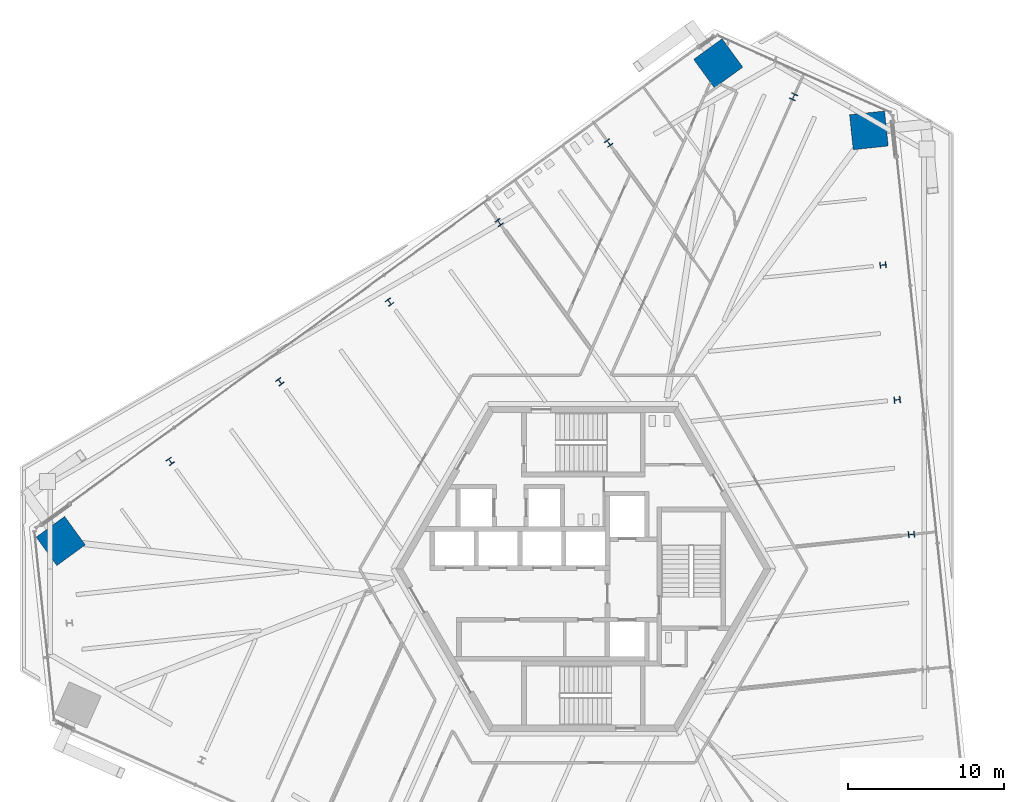
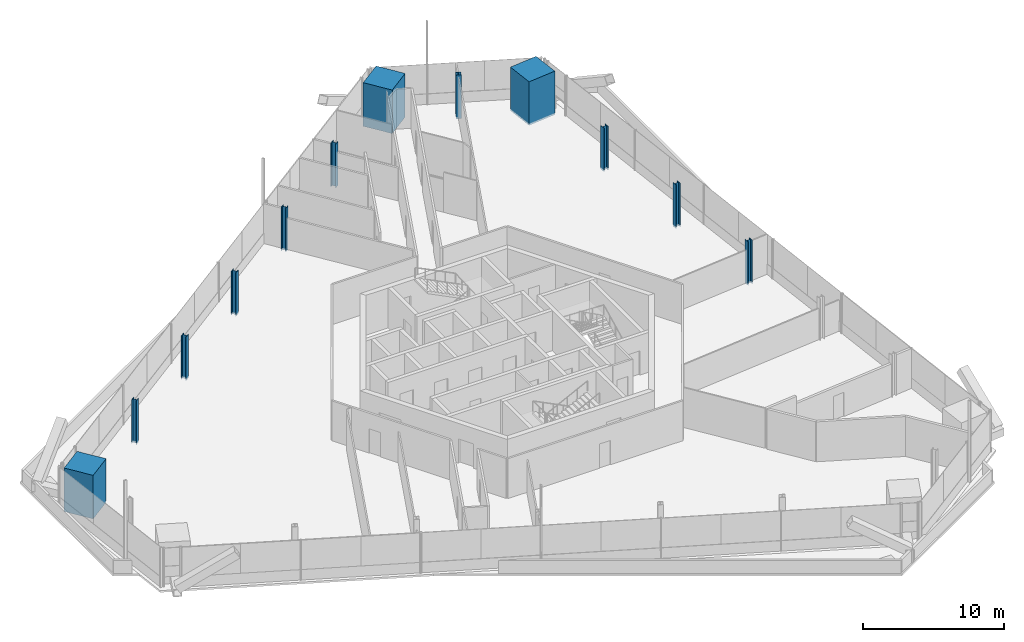
# One storey, part 2 of 24: 12 columns.
"""IFC4 building model written with IfcOpenShell, lengths in metres."""

from ifc_helpers import new_model, si_unit, direction, frame, origin, origin_2d, place, context, subcontext, project, spatial, rectangle, i_section, extrude, source, transform, mapped, material, material_profile, profile_set, type_object, element, save


model = new_model("IFC4")

# Units and contexts
model_context = context("Model", 3, precision=1e-05, world=origin(), true_north=direction((0.0, 1.0)))
body_context = subcontext(model_context, "Body", "Model", "MODEL_VIEW")
ifc_project = project(units=[si_unit("LENGTHUNIT", "METRE"), si_unit("AREAUNIT", "SQUARE_METRE"), si_unit("VOLUMEUNIT", "CUBIC_METRE"), si_unit("PLANEANGLEUNIT", "RADIAN"), si_unit("MASSUNIT", "GRAM", prefix="KILO")], contexts=[model_context])

# Site, building, storey
site_placement = place(None, origin())
site = spatial("IfcSite", under=ifc_project, at=site_placement, CompositionType="ELEMENT")
building_placement = place(site_placement, origin())
building = spatial("IfcBuilding", under=site, at=building_placement, Name="Triune Harvest Tower", CompositionType="ELEMENT")
storey_placement = place(building_placement, frame((0.0, 0.0, 58.5)))
storey = spatial("IfcBuildingStorey", under=building, at=storey_placement, Name="L13", CompositionType="ELEMENT", Elevation=58.5)

# Columns
ifc_material_1 = material(Name="Concrete 70 MPa", Category="concrete")
ifc_material_profile_1 = material_profile(ifc_material_1, rectangle(XDim=2.25, YDim=2.25, at=origin_2d()), Name="Composite 2250x2250")
ifc_profile_set_1 = profile_set([ifc_material_profile_1], Name="Concrete 70 MPa")
column_type_1 = type_object("IfcColumnType", Name="MC-2 Mega column Composite 2250x2250", PredefinedType="COLUMN", material=ifc_profile_set_1)
shared_shape_1 = source(origin(), body_context, "Body", "SweptSolid", [
    extrude(rectangle(XDim=2.25, YDim=2.25, at=origin_2d()), origin(), (0.0, 0.0, 1.0), 3.760009765625),
])
for number, where, z_axis, x_axis, name in (
    (1, (18.2607421875, 28.049072265625, -0.159912109375), (0.0, 0.0, 1.0), (-0.104526727499, 0.994522077803, 0.0), "col/L13/M6"),
    (2, (8.625732421875, 32.3388671875, -0.159912109375), (0.0, 0.0, 1.0), (-0.809016994375, -0.587785252292, 0.0), "col/L13/M8"),
    (3, (-33.42138671875, 1.789794921875, -0.159912109375), (0.0, 0.0, 1.0), (-0.809016994375, -0.587785252292, 0.0), "col/L13/M14"),
):
    element("IfcColumn", number, at=place(storey_placement, frame(where, z_axis=z_axis, x_axis=x_axis)), inside=storey, type_object=column_type_1, Name=name, PredefinedType="COLUMN", context=body_context, shape_type="MappedRepresentation", body=[
        mapped(shared_shape_1, transform((0.0, 0.0, 0.0), scale=1.0)),
    ])
ifc_material_2 = material(Name="Steel ASTM A992 Gr 50", Category="steel")
ifc_material_profile_2 = material_profile(ifc_material_2, i_section(OverallWidth=0.398681640625, OverallDepth=0.393798828125, WebThickness=0.022705078125, FlangeThickness=0.03662109375, at=origin_2d()), Name="W14x193")
ifc_profile_set_2 = profile_set([ifc_material_profile_2], Name="Steel ASTM A992 Gr 50")
column_type_2 = type_object("IfcColumnType", Name="PC-2 Perimeter column W14x193", PredefinedType="COLUMN", material=ifc_profile_set_2)
shared_shape_2 = source(origin(), body_context, "Body", "SweptSolid", [
    extrude(i_section(OverallWidth=0.398681640625, OverallDepth=0.393798828125, WebThickness=0.022705078125, FlangeThickness=0.03662109375, at=origin_2d()), origin(), (0.0, 0.0, 1.0), 3.760009765625),
])
for number, where, z_axis, x_axis, name in (
    (4, (20.97705078125, 2.204833984375, -0.159912109375), (0.0, 0.0, 1.0), (-0.104526727499, 0.994522077803, 0.0), "col/L13/P3"),
    (5, (20.071533203125, 10.819580078125, -0.159912109375), (0.0, 0.0, 1.0), (-0.104526727499, 0.994522077803, 0.0), "col/L13/P4"),
    (6, (19.166015625, 19.434326171875, -0.159912109375), (0.0, 0.0, 1.0), (-0.104526727499, 0.994522077803, 0.0), "col/L13/P5"),
    (7, (13.443115234375, 30.194091796875, -0.159912109375), (0.0, 0.0, 1.0), (-0.913546877416, 0.406733454198, 0.0), "col/L13/P7"),
    (8, (1.617919921875, 27.247314453125, -0.159912109375), (0.0, 0.0, 1.0), (-0.809016994375, -0.587785252292, 0.0), "col/L13/P9"),
    (9, (-5.389892578125, 22.15576171875, -0.159912109375), (0.0, 0.0, 1.0), (-0.809016994375, -0.587785252292, 0.0), "col/L13/P10"),
    (10, (-12.39794921875, 17.064208984375, -0.159912109375), (0.0, 0.0, 1.0), (-0.809016994375, -0.587785252292, 0.0), "col/L13/P11"),
    (11, (-19.40576171875, 11.97265625, -0.159912109375), (0.0, 0.0, 1.0), (-0.809016994375, -0.587785252292, 0.0), "col/L13/P12"),
    (12, (-26.41357421875, 6.881103515625, -0.159912109375), (0.0, 0.0, 1.0), (-0.809016994375, -0.587785252292, 0.0), "col/L13/P13"),
):
    element("IfcColumn", number, at=place(storey_placement, frame(where, z_axis=z_axis, x_axis=x_axis)), inside=storey, type_object=column_type_2, Name=name, PredefinedType="COLUMN", context=body_context, shape_type="MappedRepresentation", body=[
        mapped(shared_shape_2, transform((0.0, 0.0, 0.0), scale=1.0)),
    ])

save(model, "model.ifc")
